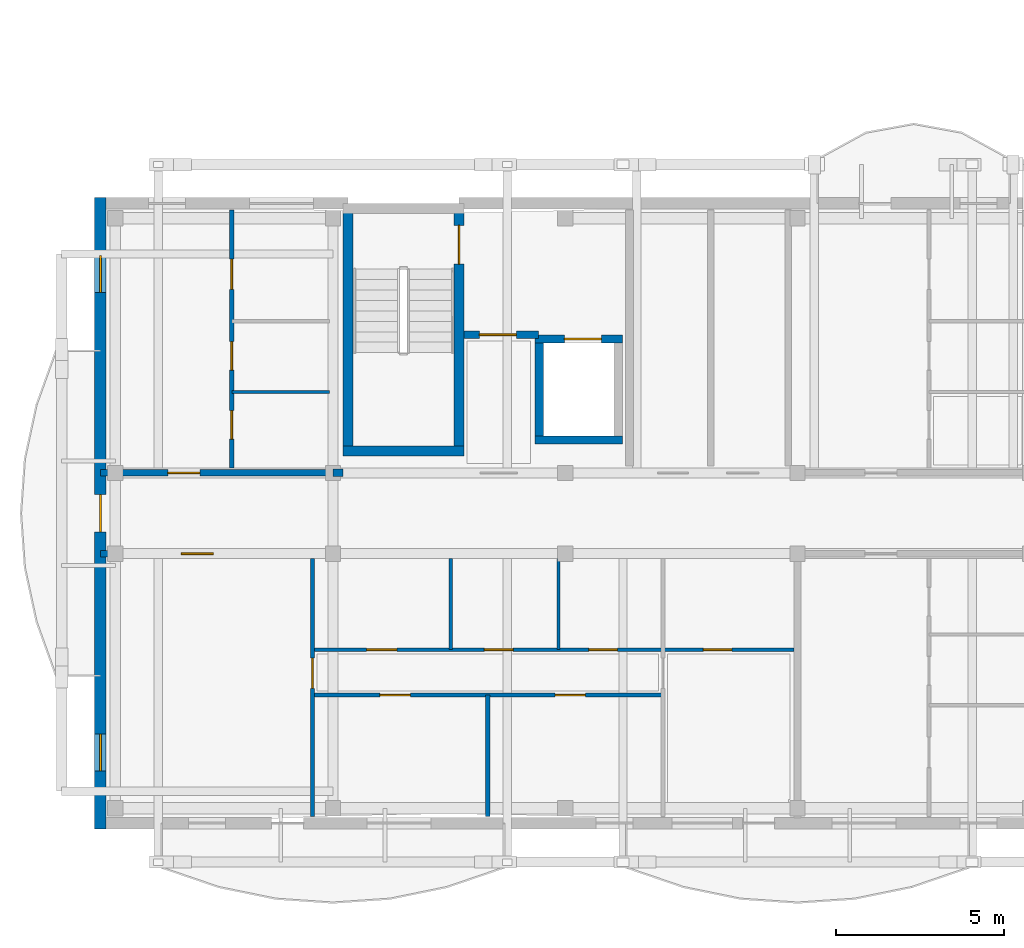
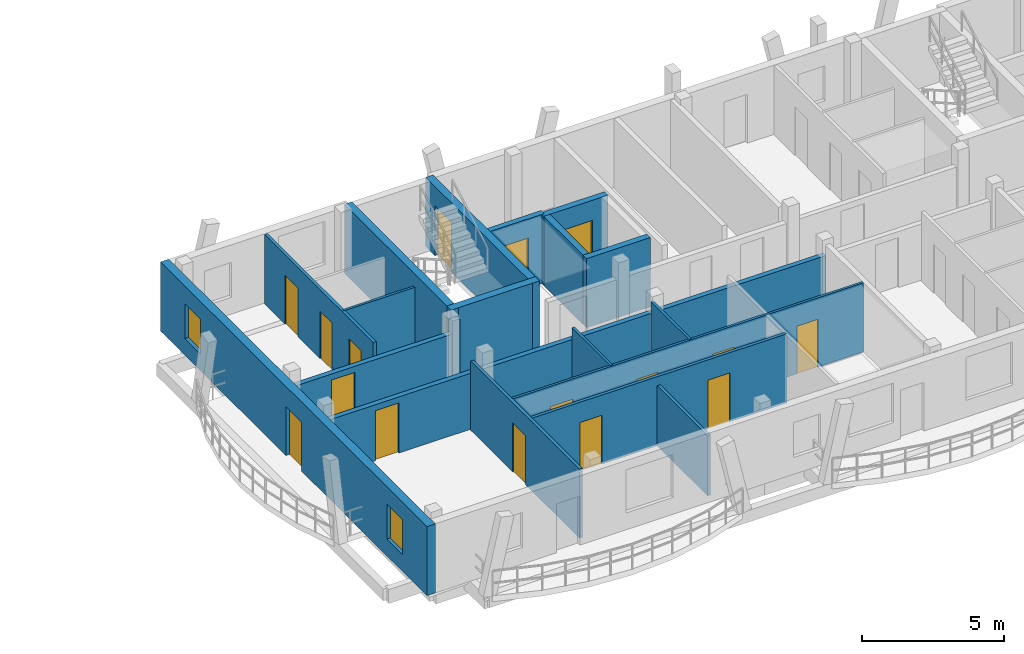
# One storey, part 9 of 21: 19 walls, 16 doors, 2 windows, 18 openings.
"""IFC4 building model written with IfcOpenShell, lengths in metres."""

from ifc_helpers import new_model, si_unit, direction, frame, frame_2d, origin, origin_with_axes, place, context, subcontext, project, spatial, rectangle, extrude, material, layer, layer_set, type_object, element, fill, save


model = new_model("IFC4")

# Units and contexts
model_context = context("Model", 3, precision=1e-05, world=origin(), true_north=direction((0.0, 1.0)))
body_context = subcontext(model_context, "Body", "Model", "MODEL_VIEW")
ifc_project = project(units=[si_unit("LENGTHUNIT", "METRE"), si_unit("AREAUNIT", "SQUARE_METRE"), si_unit("VOLUMEUNIT", "CUBIC_METRE"), si_unit("PLANEANGLEUNIT", "RADIAN"), si_unit("MASSUNIT", "GRAM", prefix="KILO")], contexts=[model_context])

# Site, building, storey
site_placement = place(None, origin())
site = spatial("IfcSite", under=ifc_project, at=site_placement, CompositionType="ELEMENT")
building_placement = place(site_placement, origin())
building = spatial("IfcBuilding", under=site, at=building_placement, Name="Zavelmont Quarter", CompositionType="ELEMENT")
storey_placement = place(building_placement, frame((0.0, 0.0, 36.800048828125)))
storey = spatial("IfcBuildingStorey", under=building, at=storey_placement, Name="L11", CompositionType="ELEMENT", Elevation=36.800048828125)

# Wall, openings, door, windows
ifc_material_1 = material(Name="Natural Belgian limestone", Category="masonry")
ifc_layer_1 = layer(ifc_material_1, 0.340087890625)
ifc_layer_set_1 = layer_set([ifc_layer_1], Name="Natural Belgian limestone")
wall_type_1 = type_object("IfcWallType", Name="EW03", PredefinedType="STANDARD", material=ifc_layer_set_1)
wall_1_placement = place(storey_placement, frame((0.0, -0.169921875, 0.0), z_axis=(0.0, 0.0, 1.0), x_axis=(0.0, 1.0, 0.0)))
wall_1 = element("IfcWall", 1, at=wall_1_placement, inside=storey, type_object=wall_type_1, Name="L11 exterior limestone wall EW03", PredefinedType="STANDARD", context=body_context, shape_type="SweptSolid", body=[
    extrude(rectangle(XDim=18.739990234375, YDim=0.340087890625, at=frame_2d((9.3701171875, 0.0))), origin(), (0.0, 0.0, 1.0), 2.969970703125),
])
opening_1_placement = place(wall_1_placement, frame((8.820068359375, 0.0, 0.0)))
opening_1 = element("IfcOpeningElement", 2, at=opening_1_placement, cuts=wall_1, Name="Opening DR04B", PredefinedType="OPENING", context=body_context, shape_type="SweptSolid", body=[
    extrude(rectangle(XDim=1.10009765625, YDim=2.10009765625, at=frame_2d((0.550048828125, 1.050048828125))), frame((0.0, 0.18212890625, 0.0), z_axis=(0.0, -1.0, 0.0), x_axis=(1.0, 0.0, 0.0)), (0.0, 0.0, 1.0), 0.364013671875),
])
opening_2_placement = place(wall_1_placement, frame((1.719970703125, 0.0, 0.719970703125)))
opening_2 = element("IfcOpeningElement", 3, at=opening_2_placement, cuts=wall_1, Name="Opening WN09", PredefinedType="OPENING", context=body_context, shape_type="SweptSolid", body=[
    extrude(rectangle(XDim=1.10009765625, YDim=1.5, at=frame_2d((0.550048828125, 0.75))), frame((0.0, 0.18212890625, 0.0), z_axis=(0.0, -1.0, 0.0), x_axis=(1.0, 0.0, 0.0)), (0.0, 0.0, 1.0), 0.364013671875),
])
opening_3_placement = place(wall_1_placement, frame((15.919921875, 0.0, 0.719970703125)))
opening_3 = element("IfcOpeningElement", 4, at=opening_3_placement, cuts=wall_1, Name="Opening WN09", PredefinedType="OPENING", context=body_context, shape_type="SweptSolid", body=[
    extrude(rectangle(XDim=1.10009765625, YDim=1.5, at=frame_2d((0.550048828125, 0.75))), frame((0.0, 0.18212890625, 0.0), z_axis=(0.0, -1.0, 0.0), x_axis=(1.0, 0.0, 0.0)), (0.0, 0.0, 1.0), 0.364013671875),
])
ifc_material_2 = material(Name="Thermally broken aluminium and double safety glass", Category="aluminium")
door_type_1 = type_object("IfcDoorType", Name="DR04B", OperationType="NOTDEFINED", PredefinedType="DOOR", material=ifc_material_2)
door_1_placement = place(opening_1_placement, frame((1.10009765625, 0.0, 0.0), z_axis=(0.0, 0.0, 1.0), x_axis=(-1.0, 0.0, 0.0)))
door_1 = element("IfcDoor", 5, at=door_1_placement, inside=storey, type_object=door_type_1, Name="Block A L11 terrace or vase balcony door", OperationType="SINGLE_SWING_RIGHT", OverallHeight=2.10009765625, OverallWidth=1.10009765625, PredefinedType="DOOR", context=body_context, shape_type="SweptSolid", body=[
    extrude(rectangle(XDim=1.10009765625, YDim=2.10009765625, at=frame_2d((0.550048828125, 1.050048828125))), frame((0.0, 0.02490234375, 0.0), z_axis=(0.0, -1.0, 0.0), x_axis=(1.0, 0.0, 0.0)), (0.0, 0.0, 1.0), 0.050048828125),
])
fill(opening_1, door_1)
ifc_material_3 = material(Name="Double low-E insulated glazing in thermally broken aluminium frame", Category="aluminium")
window_type = type_object("IfcWindowType", Name="WN09", PartitioningType="SINGLE_PANEL", PredefinedType="WINDOW", material=ifc_material_3)
window_1_placement = place(opening_2_placement, origin_with_axes())
window_1 = element("IfcWindow", 6, at=window_1_placement, inside=storey, type_object=window_type, Name="L11 window WN09", OverallHeight=1.5, OverallWidth=1.10009765625, PartitioningType="SINGLE_PANEL", PredefinedType="WINDOW", context=body_context, shape_type="SweptSolid", body=[
    extrude(rectangle(XDim=1.10009765625, YDim=1.5, at=frame_2d((0.550048828125, 0.75))), frame((0.0, 0.030029296875, 0.0), z_axis=(0.0, -1.0, 0.0), x_axis=(1.0, 0.0, 0.0)), (0.0, 0.0, 1.0), 0.06005859375),
])
fill(opening_2, window_1)
window_2_placement = place(opening_3_placement, origin_with_axes())
window_2 = element("IfcWindow", 7, at=window_2_placement, inside=storey, type_object=window_type, Name="L11 window WN09", OverallHeight=1.5, OverallWidth=1.10009765625, PartitioningType="SINGLE_PANEL", PredefinedType="WINDOW", context=body_context, shape_type="SweptSolid", body=[
    extrude(rectangle(XDim=1.10009765625, YDim=1.5, at=frame_2d((0.550048828125, 0.75))), frame((0.0, 0.030029296875, 0.0), z_axis=(0.0, -1.0, 0.0), x_axis=(1.0, 0.0, 0.0)), (0.0, 0.0, 1.0), 0.06005859375),
])
fill(opening_3, window_2)

# Wall, opening, door
ifc_material_4 = material(Name="Calcium-silicate blockwork and acoustic plaster", Category="masonry")
ifc_layer_2 = layer(ifc_material_4, 0.199951171875)
ifc_layer_set_2 = layer_set([ifc_layer_2], Name="Calcium-silicate blockwork and acoustic plaster")
wall_type_2 = type_object("IfcWallType", Name="IW01", PredefinedType="PARTITIONING", material=ifc_layer_set_2)
wall_2_placement = place(storey_placement, frame((0.0, 8.0, 0.0), z_axis=(0.0, 0.0, 1.0), x_axis=(1.0, 0.0, 0.0)))
wall_2 = element("IfcWall", 8, at=wall_2_placement, inside=storey, type_object=wall_type_2, Name="L11 Corridor compartment wall IW01", PredefinedType="PARTITIONING", context=body_context, shape_type="SweptSolid", body=[
    extrude(rectangle(XDim=20.699951171875, YDim=0.199951171875, at=frame_2d((10.35009765625, 0.0))), origin(), (0.0, 0.0, 1.0), 2.409912109375),
])
opening_4_placement = place(wall_2_placement, frame((2.39990234375, 0.0, 0.0)))
opening_4 = element("IfcOpeningElement", 9, at=opening_4_placement, cuts=wall_2, Name="Opening DR02", PredefinedType="OPENING", context=body_context, shape_type="SweptSolid", body=[
    extrude(rectangle(XDim=0.949951171875, YDim=2.14990234375, at=frame_2d((0.47509765625, 1.074951171875))), frame((0.0, 0.11181640625, 0.0), z_axis=(0.0, -1.0, 0.0), x_axis=(1.0, 0.0, 0.0)), (0.0, 0.0, 1.0), 0.223876953125),
])
ifc_material_5 = material(Name="Solid-core oak fire leaf in steel frame", Category="steel")
door_type_2 = type_object("IfcDoorType", Name="DR02", OperationType="NOTDEFINED", PredefinedType="DOOR", material=ifc_material_5)
door_2_placement = place(opening_4_placement, frame((0.949951171875, 0.0, 0.0), z_axis=(0.0, 0.0, 1.0), x_axis=(-1.0, 0.0, 0.0)))
door_2 = element("IfcDoor", 10, at=door_2_placement, inside=storey, type_object=door_type_2, Name="L11 door DR02", OperationType="SINGLE_SWING_RIGHT", OverallHeight=2.14990234375, OverallWidth=0.949951171875, PredefinedType="DOOR", context=body_context, shape_type="SweptSolid", body=[
    extrude(rectangle(XDim=0.949951171875, YDim=2.14990234375, at=frame_2d((0.47509765625, 1.074951171875))), frame((0.0, 0.02490234375, 0.0), z_axis=(0.0, -1.0, 0.0), x_axis=(1.0, 0.0, 0.0)), (0.0, 0.0, 1.0), 0.050048828125),
])
fill(opening_4, door_2)

wall_3_placement = place(storey_placement, frame((0.0, 10.39990234375, 0.0), z_axis=(0.0, 0.0, 1.0), x_axis=(1.0, 0.0, 0.0)))
wall_3 = element("IfcWall", 11, at=wall_3_placement, inside=storey, type_object=wall_type_2, Name="L11 Corridor compartment wall IW01", PredefinedType="PARTITIONING", context=body_context, shape_type="SweptSolid", body=[
    extrude(rectangle(XDim=6.89990234375, YDim=0.199951171875, at=frame_2d((3.449951171875, 0.0))), origin(), (0.0, 0.0, 1.0), 2.409912109375),
])
opening_5_placement = place(wall_3_placement, frame((2.0, 0.0, 0.0)))
opening_5 = element("IfcOpeningElement", 12, at=opening_5_placement, cuts=wall_3, Name="Opening DR02", PredefinedType="OPENING", context=body_context, shape_type="SweptSolid", body=[
    extrude(rectangle(XDim=0.949951171875, YDim=2.14990234375, at=frame_2d((0.47509765625, 1.074951171875))), frame((0.0, 0.11181640625, 0.0), z_axis=(0.0, -1.0, 0.0), x_axis=(1.0, 0.0, 0.0)), (0.0, 0.0, 1.0), 0.223876953125),
])
door_3_placement = place(opening_5_placement, origin_with_axes())
door_3 = element("IfcDoor", 13, at=door_3_placement, inside=storey, type_object=door_type_2, Name="L11 door DR02", OperationType="SINGLE_SWING_RIGHT", OverallHeight=2.14990234375, OverallWidth=0.949951171875, PredefinedType="DOOR", context=body_context, shape_type="SweptSolid", body=[
    extrude(rectangle(XDim=0.949951171875, YDim=2.14990234375, at=frame_2d((0.47509765625, 1.074951171875))), frame((0.0, 0.02490234375, 0.0), z_axis=(0.0, -1.0, 0.0), x_axis=(1.0, 0.0, 0.0)), (0.0, 0.0, 1.0), 0.050048828125),
])
fill(opening_5, door_3)

ifc_material_6 = material(Name="Reinforced masonry fire compartment wall", Category="masonry")
ifc_layer_3 = layer(ifc_material_6, 0.22509765625)
ifc_layer_set_3 = layer_set([ifc_layer_3], Name="Reinforced masonry fire compartment wall")
wall_type_3 = type_object("IfcWallType", Name="IW02", PredefinedType="PARTITIONING", material=ifc_layer_set_3)
wall_4_placement = place(storey_placement, frame((10.800048828125, 14.5, 0.0), z_axis=(0.0, 0.0, 1.0), x_axis=(1.0, 0.0, 0.0)))
wall_4 = element("IfcWall", 14, at=wall_4_placement, inside=storey, type_object=wall_type_3, Name="L11 Firefighting lobby threshold wall IW02", PredefinedType="PARTITIONING", context=body_context, shape_type="SweptSolid", body=[
    extrude(rectangle(XDim=2.199951171875, YDim=0.22509765625, at=frame_2d((1.10009765625, 0.0))), origin(), (0.0, 0.0, 1.0), 2.969970703125),
])
opening_6_placement = place(wall_4_placement, frame((0.449951171875, 0.0, 0.0)))
opening_6 = element("IfcOpeningElement", 15, at=opening_6_placement, cuts=wall_4, Name="Opening DR10", PredefinedType="OPENING", context=body_context, shape_type="SweptSolid", body=[
    extrude(rectangle(XDim=1.10009765625, YDim=2.14990234375, at=frame_2d((0.550048828125, 1.074951171875))), frame((0.0, 0.12451171875, 0.0), z_axis=(0.0, -1.0, 0.0), x_axis=(1.0, 0.0, 0.0)), (0.0, 0.0, 1.0), 0.2490234375),
])
ifc_material_7 = material(Name="Painted steel lobby fire door", Category="steel")
door_type_3 = type_object("IfcDoorType", Name="DR10", OperationType="NOTDEFINED", PredefinedType="DOOR", material=ifc_material_7)
door_4_placement = place(opening_6_placement, origin_with_axes())
door_4 = element("IfcDoor", 16, at=door_4_placement, inside=storey, type_object=door_type_3, Name="Firefighting lobby fire door", OperationType="SINGLE_SWING_LEFT", OverallHeight=2.14990234375, OverallWidth=1.10009765625, PredefinedType="DOOR", context=body_context, shape_type="SweptSolid", body=[
    extrude(rectangle(XDim=1.10009765625, YDim=2.14990234375, at=frame_2d((0.550048828125, 1.074951171875))), frame((0.0, 0.02490234375, 0.0), z_axis=(0.0, -1.0, 0.0), x_axis=(1.0, 0.0, 0.0)), (0.0, 0.0, 1.0), 0.050048828125),
])
fill(opening_6, door_4)

# Wall
wall_5_placement = place(storey_placement, frame((6.89990234375, 10.39990234375, 0.0), z_axis=(0.0, 0.0, 1.0), x_axis=(1.0, 0.0, 0.0)))
element("IfcWall", 17, at=wall_5_placement, inside=storey, type_object=wall_type_3, Name="L11 Core corridor wall IW02", PredefinedType="PARTITIONING", context=body_context, shape_type="SweptSolid", body=[
    extrude(rectangle(XDim=0.300048828125, YDim=0.22509765625, at=frame_2d((0.14990234375, 0.0))), origin(), (0.0, 0.0, 1.0), 2.969970703125),
])

# Wall, opening, door
ifc_material_8 = material(Name="Double gypsum board on acoustic steel stud", Category="steel")
ifc_layer_4 = layer(ifc_material_8, 0.125)
ifc_layer_set_4 = layer_set([ifc_layer_4], Name="Double gypsum board on acoustic steel stud")
wall_type_4 = type_object("IfcWallType", Name="IW03", PredefinedType="PARTITIONING", material=ifc_layer_set_4)
wall_6_placement = place(storey_placement, frame((6.300048828125, 7.85009765625, 0.0), z_axis=(0.0, 0.0, 1.0), x_axis=(0.0, -1.0, 0.0)))
wall_6 = element("IfcWall", 18, at=wall_6_placement, inside=storey, type_object=wall_type_4, Name="L11 Partition IW03", PredefinedType="PARTITIONING", context=body_context, shape_type="SweptSolid", body=[
    extrude(rectangle(XDim=7.650146484375, YDim=0.125, at=frame_2d((3.8251953125, 0.0))), origin(), (0.0, 0.0, 1.0), 2.969970703125),
])
opening_7_placement = place(wall_6_placement, frame((2.949951171875, 0.0, 0.0)))
opening_7 = element("IfcOpeningElement", 19, at=opening_7_placement, cuts=wall_6, Name="Opening DR05", PredefinedType="OPENING", context=body_context, shape_type="SweptSolid", body=[
    extrude(rectangle(XDim=0.89990234375, YDim=2.10009765625, at=frame_2d((0.449951171875, 1.050048828125))), frame((0.0, 0.074462890625, 0.0), z_axis=(0.0, -1.0, 0.0), x_axis=(1.0, 0.0, 0.0)), (0.0, 0.0, 1.0), 0.14892578125),
])
ifc_material_9 = material(Name="Engineered oak flush interior door")
door_type_4 = type_object("IfcDoorType", Name="DR05", OperationType="NOTDEFINED", PredefinedType="DOOR", material=ifc_material_9)
door_5_placement = place(opening_7_placement, frame((0.89990234375, 0.0, 0.0), z_axis=(0.0, 0.0, 1.0), x_axis=(-1.0, 0.0, 0.0)))
door_5 = element("IfcDoor", 20, at=door_5_placement, inside=storey, type_object=door_type_4, Name="L11 door DR05", OperationType="SINGLE_SWING_RIGHT", OverallHeight=2.10009765625, OverallWidth=0.89990234375, PredefinedType="DOOR", context=body_context, shape_type="SweptSolid", body=[
    extrude(rectangle(XDim=0.89990234375, YDim=2.10009765625, at=frame_2d((0.449951171875, 1.050048828125))), frame((0.0, 0.02490234375, 0.0), z_axis=(0.0, -1.0, 0.0), x_axis=(1.0, 0.0, 0.0)), (0.0, 0.0, 1.0), 0.050048828125),
])
fill(opening_7, door_5)

# Wall
wall_7_placement = place(storey_placement, frame((11.5, 3.800048828125, 0.0), z_axis=(0.0, 0.0, 1.0), x_axis=(0.0, -1.0, 0.0)))
element("IfcWall", 21, at=wall_7_placement, inside=storey, type_object=wall_type_4, Name="L11 Partition IW03", PredefinedType="PARTITIONING", context=body_context, shape_type="SweptSolid", body=[
    extrude(rectangle(XDim=3.60009765625, YDim=0.125, at=frame_2d((1.800048828125, 0.0))), origin(), (0.0, 0.0, 1.0), 2.58984375),
])

# Wall, openings, doors
wall_8_placement = place(storey_placement, frame((6.300048828125, 3.800048828125, 0.0), z_axis=(0.0, 0.0, 1.0), x_axis=(1.0, 0.0, 0.0)))
wall_8 = element("IfcWall", 22, at=wall_8_placement, inside=storey, type_object=wall_type_4, Name="L11 Partition IW03", PredefinedType="PARTITIONING", context=body_context, shape_type="SweptSolid", body=[
    extrude(rectangle(XDim=10.39990234375, YDim=0.125, at=frame_2d((5.199951171875, 0.0))), origin(), (0.0, 0.0, 1.0), 2.969970703125),
])
opening_8_placement = place(wall_8_placement, frame((2.0, 0.0, 0.0)))
opening_8 = element("IfcOpeningElement", 23, at=opening_8_placement, cuts=wall_8, Name="Opening DR05", PredefinedType="OPENING", context=body_context, shape_type="SweptSolid", body=[
    extrude(rectangle(XDim=0.89990234375, YDim=2.10009765625, at=frame_2d((0.449951171875, 1.050048828125))), frame((0.0, 0.074462890625, 0.0), z_axis=(0.0, -1.0, 0.0), x_axis=(1.0, 0.0, 0.0)), (0.0, 0.0, 1.0), 0.14892578125),
])
opening_9_placement = place(wall_8_placement, frame((7.199951171875, 0.0, 0.0)))
opening_9 = element("IfcOpeningElement", 24, at=opening_9_placement, cuts=wall_8, Name="Opening DR05", PredefinedType="OPENING", context=body_context, shape_type="SweptSolid", body=[
    extrude(rectangle(XDim=0.89990234375, YDim=2.10009765625, at=frame_2d((0.449951171875, 1.050048828125))), frame((0.0, 0.074462890625, 0.0), z_axis=(0.0, -1.0, 0.0), x_axis=(1.0, 0.0, 0.0)), (0.0, 0.0, 1.0), 0.14892578125),
])
door_6_placement = place(opening_8_placement, frame((0.89990234375, 0.0, 0.0), z_axis=(0.0, 0.0, 1.0), x_axis=(-1.0, 0.0, 0.0)))
door_6 = element("IfcDoor", 25, at=door_6_placement, inside=storey, type_object=door_type_4, Name="L11 door DR05", OperationType="SINGLE_SWING_RIGHT", OverallHeight=2.10009765625, OverallWidth=0.89990234375, PredefinedType="DOOR", context=body_context, shape_type="SweptSolid", body=[
    extrude(rectangle(XDim=0.89990234375, YDim=2.10009765625, at=frame_2d((0.449951171875, 1.050048828125))), frame((0.0, 0.02490234375, 0.0), z_axis=(0.0, -1.0, 0.0), x_axis=(1.0, 0.0, 0.0)), (0.0, 0.0, 1.0), 0.050048828125),
])
fill(opening_8, door_6)
door_7_placement = place(opening_9_placement, origin_with_axes())
door_7 = element("IfcDoor", 26, at=door_7_placement, inside=storey, type_object=door_type_4, Name="L11 door DR05", OperationType="SINGLE_SWING_LEFT", OverallHeight=2.10009765625, OverallWidth=0.89990234375, PredefinedType="DOOR", context=body_context, shape_type="SweptSolid", body=[
    extrude(rectangle(XDim=0.89990234375, YDim=2.10009765625, at=frame_2d((0.449951171875, 1.050048828125))), frame((0.0, 0.02490234375, 0.0), z_axis=(0.0, -1.0, 0.0), x_axis=(1.0, 0.0, 0.0)), (0.0, 0.0, 1.0), 0.050048828125),
])
fill(opening_9, door_7)

wall_9_placement = place(storey_placement, frame((3.89990234375, 10.550048828125, 0.0), z_axis=(0.0, 0.0, 1.0), x_axis=(0.0, 1.0, 0.0)))
wall_9 = element("IfcWall", 27, at=wall_9_placement, inside=storey, type_object=wall_type_4, Name="L11 Partition IW03", PredefinedType="PARTITIONING", context=body_context, shape_type="SweptSolid", body=[
    extrude(rectangle(XDim=7.64990234375, YDim=0.125, at=frame_2d((3.824951171875, 0.0))), origin(), (0.0, 0.0, 1.0), 2.969970703125),
])
opening_10_placement = place(wall_9_placement, frame((0.85009765625, 0.0, 0.0)))
opening_10 = element("IfcOpeningElement", 28, at=opening_10_placement, cuts=wall_9, Name="Opening DR16", PredefinedType="OPENING", context=body_context, shape_type="SweptSolid", body=[
    extrude(rectangle(XDim=0.85009765625, YDim=2.10009765625, at=frame_2d((0.425048828125, 1.050048828125))), frame((0.0, 0.074462890625, 0.0), z_axis=(0.0, -1.0, 0.0), x_axis=(1.0, 0.0, 0.0)), (0.0, 0.0, 1.0), 0.14892578125),
])
opening_11_placement = place(wall_9_placement, frame((2.89990234375, 0.0, 0.0)))
opening_11 = element("IfcOpeningElement", 29, at=opening_11_placement, cuts=wall_9, Name="Opening DR06", PredefinedType="OPENING", context=body_context, shape_type="SweptSolid", body=[
    extrude(rectangle(XDim=0.85009765625, YDim=2.050048828125, at=frame_2d((0.425048828125, 1.02490234375))), frame((0.0, 0.074462890625, 0.0), z_axis=(0.0, -1.0, 0.0), x_axis=(1.0, 0.0, 0.0)), (0.0, 0.0, 1.0), 0.14892578125),
])
opening_12_placement = place(wall_9_placement, frame((5.300048828125, 0.0, 0.0)))
opening_12 = element("IfcOpeningElement", 30, at=opening_12_placement, cuts=wall_9, Name="Opening DR05", PredefinedType="OPENING", context=body_context, shape_type="SweptSolid", body=[
    extrude(rectangle(XDim=0.89990234375, YDim=2.10009765625, at=frame_2d((0.449951171875, 1.050048828125))), frame((0.0, 0.074462890625, 0.0), z_axis=(0.0, -1.0, 0.0), x_axis=(1.0, 0.0, 0.0)), (0.0, 0.0, 1.0), 0.14892578125),
])
door_8_placement = place(opening_12_placement, frame((0.89990234375, 0.0, 0.0), z_axis=(0.0, 0.0, 1.0), x_axis=(-1.0, 0.0, 0.0)))
door_8 = element("IfcDoor", 31, at=door_8_placement, inside=storey, type_object=door_type_4, Name="L11 door DR05", OperationType="SINGLE_SWING_RIGHT", OverallHeight=2.10009765625, OverallWidth=0.89990234375, PredefinedType="DOOR", context=body_context, shape_type="SweptSolid", body=[
    extrude(rectangle(XDim=0.89990234375, YDim=2.10009765625, at=frame_2d((0.449951171875, 1.050048828125))), frame((0.0, 0.02490234375, 0.0), z_axis=(0.0, -1.0, 0.0), x_axis=(1.0, 0.0, 0.0)), (0.0, 0.0, 1.0), 0.050048828125),
])
fill(opening_12, door_8)
ifc_material_10 = material(Name="Moisture-resistant painted wet-room door")
door_type_5 = type_object("IfcDoorType", Name="DR06", OperationType="NOTDEFINED", PredefinedType="DOOR", material=ifc_material_10)
door_9_placement = place(opening_11_placement, origin_with_axes())
door_9 = element("IfcDoor", 32, at=door_9_placement, inside=storey, type_object=door_type_5, Name="L11 door DR06", OperationType="SINGLE_SWING_LEFT", OverallHeight=2.050048828125, OverallWidth=0.85009765625, PredefinedType="DOOR", context=body_context, shape_type="SweptSolid", body=[
    extrude(rectangle(XDim=0.85009765625, YDim=2.050048828125, at=frame_2d((0.425048828125, 1.02490234375))), frame((0.0, 0.02490234375, 0.0), z_axis=(0.0, -1.0, 0.0), x_axis=(1.0, 0.0, 0.0)), (0.0, 0.0, 1.0), 0.050048828125),
])
fill(opening_11, door_9)
door_type_6 = type_object("IfcDoorType", Name="DR16", OperationType="NOTDEFINED", PredefinedType="DOOR", material=ifc_material_9)
door_10_placement = place(opening_10_placement, frame((0.85009765625, 0.0, 0.0), z_axis=(0.0, 0.0, 1.0), x_axis=(-1.0, 0.0, 0.0)))
door_10 = element("IfcDoor", 33, at=door_10_placement, inside=storey, type_object=door_type_6, Name="L11 door DR16", OperationType="SINGLE_SWING_RIGHT", OverallHeight=2.10009765625, OverallWidth=0.85009765625, PredefinedType="DOOR", context=body_context, shape_type="SweptSolid", body=[
    extrude(rectangle(XDim=0.85009765625, YDim=2.10009765625, at=frame_2d((0.425048828125, 1.050048828125))), frame((0.0, 0.02490234375, 0.0), z_axis=(0.0, -1.0, 0.0), x_axis=(1.0, 0.0, 0.0)), (0.0, 0.0, 1.0), 0.050048828125),
])
fill(opening_10, door_10)

# Walls
ifc_material_11 = material(Name="Moisture-resistant gypsum board on steel stud", Category="steel")
ifc_layer_5 = layer(ifc_material_11, 0.10009765625)
ifc_layer_set_5 = layer_set([ifc_layer_5], Name="Moisture-resistant gypsum board on steel stud")
wall_type_5 = type_object("IfcWallType", Name="IW04", PredefinedType="PARTITIONING", material=ifc_layer_set_5)
for number, where, z_axis, x_axis, name in (
    (34, (10.39990234375, 7.85009765625, 0.0), (0.0, 0.0, 1.0), (0.0, -1.0, 0.0), "L11 Partition IW04"),
    (35, (13.60009765625, 7.85009765625, 0.0), (0.0, 0.0, 1.0), (0.0, -1.0, 0.0), "L11 Partition IW04"),
):
    element("IfcWall", number, at=place(storey_placement, frame(where, z_axis=z_axis, x_axis=x_axis)), inside=storey, type_object=wall_type_5, Name=name, PredefinedType="PARTITIONING", context=body_context, shape_type="SweptSolid", body=[
        extrude(rectangle(XDim=2.7001953125, YDim=0.10009765625, at=frame_2d((1.35009765625, 0.0))), origin(), (0.0, 0.0, 1.0), 2.969970703125),
    ])

# Wall, openings, doors
wall_10_placement = place(storey_placement, frame((6.300048828125, 5.14990234375, 0.0), z_axis=(0.0, 0.0, 1.0), x_axis=(1.0, 0.0, 0.0)))
wall_10 = element("IfcWall", 36, at=wall_10_placement, inside=storey, type_object=wall_type_5, Name="L11 Partition IW04", PredefinedType="PARTITIONING", context=body_context, shape_type="SweptSolid", body=[
    extrude(rectangle(XDim=14.300048828125, YDim=0.10009765625, at=frame_2d((7.14990234375, 0.0))), origin(), (0.0, 0.0, 1.0), 2.969970703125),
])
opening_13_placement = place(wall_10_placement, frame((1.60009765625, 0.0, 0.0)))
opening_13 = element("IfcOpeningElement", 37, at=opening_13_placement, cuts=wall_10, Name="Opening DR05", PredefinedType="OPENING", context=body_context, shape_type="SweptSolid", body=[
    extrude(rectangle(XDim=0.89990234375, YDim=2.10009765625, at=frame_2d((0.449951171875, 1.050048828125))), frame((0.0, 0.06201171875, 0.0), z_axis=(0.0, -1.0, 0.0), x_axis=(1.0, 0.0, 0.0)), (0.0, 0.0, 1.0), 0.1240234375),
])
opening_14_placement = place(wall_10_placement, frame((5.10009765625, 0.0, 0.0)))
opening_14 = element("IfcOpeningElement", 38, at=opening_14_placement, cuts=wall_10, Name="Opening DR06", PredefinedType="OPENING", context=body_context, shape_type="SweptSolid", body=[
    extrude(rectangle(XDim=0.85009765625, YDim=2.050048828125, at=frame_2d((0.425048828125, 1.02490234375))), frame((0.0, 0.06201171875, 0.0), z_axis=(0.0, -1.0, 0.0), x_axis=(1.0, 0.0, 0.0)), (0.0, 0.0, 1.0), 0.1240234375),
])
opening_15_placement = place(wall_10_placement, frame((8.199951171875, 0.0, 0.0)))
opening_15 = element("IfcOpeningElement", 39, at=opening_15_placement, cuts=wall_10, Name="Opening DR06", PredefinedType="OPENING", context=body_context, shape_type="SweptSolid", body=[
    extrude(rectangle(XDim=0.85009765625, YDim=2.050048828125, at=frame_2d((0.425048828125, 1.02490234375))), frame((0.0, 0.06201171875, 0.0), z_axis=(0.0, -1.0, 0.0), x_axis=(1.0, 0.0, 0.0)), (0.0, 0.0, 1.0), 0.1240234375),
])
opening_16_placement = place(wall_10_placement, frame((11.60009765625, 0.0, 0.0)))
opening_16 = element("IfcOpeningElement", 40, at=opening_16_placement, cuts=wall_10, Name="Opening DR06", PredefinedType="OPENING", context=body_context, shape_type="SweptSolid", body=[
    extrude(rectangle(XDim=0.85009765625, YDim=2.050048828125, at=frame_2d((0.425048828125, 1.02490234375))), frame((0.0, 0.06201171875, 0.0), z_axis=(0.0, -1.0, 0.0), x_axis=(1.0, 0.0, 0.0)), (0.0, 0.0, 1.0), 0.1240234375),
])
door_11_placement = place(opening_13_placement, frame((0.89990234375, 0.0, 0.0), z_axis=(0.0, 0.0, 1.0), x_axis=(-1.0, 0.0, 0.0)))
door_11 = element("IfcDoor", 41, at=door_11_placement, inside=storey, type_object=door_type_4, Name="L11 door DR05", OperationType="SINGLE_SWING_RIGHT", OverallHeight=2.10009765625, OverallWidth=0.89990234375, PredefinedType="DOOR", context=body_context, shape_type="SweptSolid", body=[
    extrude(rectangle(XDim=0.89990234375, YDim=2.10009765625, at=frame_2d((0.449951171875, 1.050048828125))), frame((0.0, 0.02490234375, 0.0), z_axis=(0.0, -1.0, 0.0), x_axis=(1.0, 0.0, 0.0)), (0.0, 0.0, 1.0), 0.050048828125),
])
fill(opening_13, door_11)
door_12_placement = place(opening_14_placement, origin_with_axes())
door_12 = element("IfcDoor", 42, at=door_12_placement, inside=storey, type_object=door_type_5, Name="L11 door DR06", OperationType="SINGLE_SWING_LEFT", OverallHeight=2.050048828125, OverallWidth=0.85009765625, PredefinedType="DOOR", context=body_context, shape_type="SweptSolid", body=[
    extrude(rectangle(XDim=0.85009765625, YDim=2.050048828125, at=frame_2d((0.425048828125, 1.02490234375))), frame((0.0, 0.02490234375, 0.0), z_axis=(0.0, -1.0, 0.0), x_axis=(1.0, 0.0, 0.0)), (0.0, 0.0, 1.0), 0.050048828125),
])
fill(opening_14, door_12)
door_13_placement = place(opening_15_placement, frame((0.85009765625, 0.0, 0.0), z_axis=(0.0, 0.0, 1.0), x_axis=(-1.0, 0.0, 0.0)))
door_13 = element("IfcDoor", 43, at=door_13_placement, inside=storey, type_object=door_type_5, Name="L11 door DR06", OperationType="SINGLE_SWING_RIGHT", OverallHeight=2.050048828125, OverallWidth=0.85009765625, PredefinedType="DOOR", context=body_context, shape_type="SweptSolid", body=[
    extrude(rectangle(XDim=0.85009765625, YDim=2.050048828125, at=frame_2d((0.425048828125, 1.02490234375))), frame((0.0, 0.02490234375, 0.0), z_axis=(0.0, -1.0, 0.0), x_axis=(1.0, 0.0, 0.0)), (0.0, 0.0, 1.0), 0.050048828125),
])
fill(opening_15, door_13)
door_14_placement = place(opening_16_placement, origin_with_axes())
door_14 = element("IfcDoor", 44, at=door_14_placement, inside=storey, type_object=door_type_5, Name="L11 door DR06", OperationType="SINGLE_SWING_LEFT", OverallHeight=2.050048828125, OverallWidth=0.85009765625, PredefinedType="DOOR", context=body_context, shape_type="SweptSolid", body=[
    extrude(rectangle(XDim=0.85009765625, YDim=2.050048828125, at=frame_2d((0.425048828125, 1.02490234375))), frame((0.0, 0.02490234375, 0.0), z_axis=(0.0, -1.0, 0.0), x_axis=(1.0, 0.0, 0.0)), (0.0, 0.0, 1.0), 0.050048828125),
])
fill(opening_16, door_14)

# Walls
wall_11_placement = place(storey_placement, frame((3.89990234375, 12.800048828125, 0.0), z_axis=(0.0, 0.0, 1.0), x_axis=(1.0, 0.0, 0.0)))
element("IfcWall", 45, at=wall_11_placement, inside=storey, type_object=wall_type_5, Name="L11 Partition IW04", PredefinedType="PARTITIONING", context=body_context, shape_type="SweptSolid", body=[
    extrude(rectangle(XDim=2.900146484375, YDim=0.10009765625, at=frame_2d((1.4501953125, 0.0))), origin(), (0.0, 0.0, 1.0), 2.969970703125),
])
ifc_material_12 = material(Name="Concrete C40/50", Category="concrete")
ifc_layer_6 = layer(ifc_material_12, 0.300048828125)
ifc_layer_set_6 = layer_set([ifc_layer_6], Name="Concrete C40/50")
wall_type_6 = type_object("IfcWallType", Name="SW01", PredefinedType="SHEAR", material=ifc_layer_set_6)
wall_12_placement = place(storey_placement, frame((7.199951171875, 11.050048828125, 0.0), z_axis=(0.0, 0.0, 1.0), x_axis=(1.0, 0.0, 0.0)))
element("IfcWall", 46, at=wall_12_placement, inside=storey, type_object=wall_type_6, Name="L11 ST01 corridor shear wall SW01", PredefinedType="SHEAR", context=body_context, shape_type="SweptSolid", body=[
    extrude(rectangle(XDim=3.60009765625, YDim=0.300048828125, at=frame_2d((1.800048828125, 0.0))), origin(), (0.0, 0.0, 1.0), 2.969970703125),
])
wall_13_placement = place(storey_placement, frame((7.35009765625, 10.89990234375, 0.0), z_axis=(0.0, 0.0, 1.0), x_axis=(0.0, 1.0, 0.0)))
element("IfcWall", 47, at=wall_13_placement, inside=storey, type_object=wall_type_6, Name="L11 ST01 west shear wall SW01", PredefinedType="SHEAR", context=body_context, shape_type="SweptSolid", body=[
    extrude(rectangle(XDim=7.5, YDim=0.300048828125, at=frame_2d((3.75, 0.0))), origin(), (0.0, 0.0, 1.0), 2.969970703125),
])

# Wall, opening, door
wall_14_placement = place(storey_placement, frame((10.64990234375, 10.89990234375, 0.0), z_axis=(0.0, 0.0, 1.0), x_axis=(0.0, 1.0, 0.0)))
wall_14 = element("IfcWall", 48, at=wall_14_placement, inside=storey, type_object=wall_type_6, Name="L11 ST01 lobby shear wall SW01", PredefinedType="SHEAR", context=body_context, shape_type="SweptSolid", body=[
    extrude(rectangle(XDim=7.5, YDim=0.300048828125, at=frame_2d((3.75, 0.0))), origin(), (0.0, 0.0, 1.0), 2.969970703125),
])
opening_17_placement = place(wall_14_placement, frame((5.699951171875, 0.0, 0.0)))
opening_17 = element("IfcOpeningElement", 49, at=opening_17_placement, cuts=wall_14, Name="Opening DR09", PredefinedType="OPENING", context=body_context, shape_type="SweptSolid", body=[
    extrude(rectangle(XDim=1.14990234375, YDim=2.14990234375, at=frame_2d((0.574951171875, 1.074951171875))), frame((0.0, 0.162109375, 0.0), z_axis=(0.0, -1.0, 0.0), x_axis=(1.0, 0.0, 0.0)), (0.0, 0.0, 1.0), 0.323974609375),
])
ifc_material_13 = material(Name="Painted steel stair-core fire door", Category="steel")
door_type_7 = type_object("IfcDoorType", Name="DR09", OperationType="NOTDEFINED", PredefinedType="DOOR", material=ifc_material_13)
door_15_placement = place(opening_17_placement, origin_with_axes())
door_15 = element("IfcDoor", 50, at=door_15_placement, inside=storey, type_object=door_type_7, Name="ST01 protected stair door", OperationType="SINGLE_SWING_LEFT", OverallHeight=2.14990234375, OverallWidth=1.14990234375, PredefinedType="DOOR", context=body_context, shape_type="SweptSolid", body=[
    extrude(rectangle(XDim=1.14990234375, YDim=2.14990234375, at=frame_2d((0.574951171875, 1.074951171875))), frame((0.0, 0.02490234375, 0.0), z_axis=(0.0, -1.0, 0.0), x_axis=(1.0, 0.0, 0.0)), (0.0, 0.0, 1.0), 0.050048828125),
])
fill(opening_17, door_15)

ifc_layer_7 = layer(ifc_material_12, 0.25)
ifc_layer_set_7 = layer_set([ifc_layer_7], Name="Concrete C40/50")
wall_type_7 = type_object("IfcWallType", Name="SW02", PredefinedType="SHEAR", material=ifc_layer_set_7)
wall_15_placement = place(storey_placement, frame((12.89990234375, 14.375, 0.0), z_axis=(0.0, 0.0, 1.0), x_axis=(1.0, 0.0, 0.0)))
wall_15 = element("IfcWall", 51, at=wall_15_placement, inside=storey, type_object=wall_type_7, Name="L11 Lift FL01 landing shaft wall SW02", PredefinedType="SHEAR", context=body_context, shape_type="SweptSolid", body=[
    extrude(rectangle(XDim=2.60009765625, YDim=0.25, at=frame_2d((1.300048828125, 0.0))), origin(), (0.0, 0.0, 1.0), 2.969970703125),
])
opening_18_placement = place(wall_15_placement, frame((0.875, 0.0, 0.0)))
opening_18 = element("IfcOpeningElement", 52, at=opening_18_placement, cuts=wall_15, Name="Opening LD02", PredefinedType="OPENING", context=body_context, shape_type="SweptSolid", body=[
    extrude(rectangle(XDim=1.10009765625, YDim=2.10009765625, at=frame_2d((0.550048828125, 1.050048828125))), frame((0.0, 0.136962890625, 0.0), z_axis=(0.0, -1.0, 0.0), x_axis=(1.0, 0.0, 0.0)), (0.0, 0.0, 1.0), 0.27392578125),
])
ifc_material_14 = material(Name="Brushed stainless-steel firefighting lift landing door", Category="steel")
door_type_8 = type_object("IfcDoorType", Name="LD02", OperationType="SLIDING_TO_LEFT", PredefinedType="DOOR", material=ifc_material_14)
door_16_placement = place(opening_18_placement, origin_with_axes())
door_16 = element("IfcDoor", 53, at=door_16_placement, inside=storey, type_object=door_type_8, Name="Lift FL01 sliding landing door", OperationType="SLIDING_TO_LEFT", OverallHeight=2.10009765625, OverallWidth=1.10009765625, PredefinedType="DOOR", context=body_context, shape_type="SweptSolid", body=[
    extrude(rectangle(XDim=1.10009765625, YDim=2.10009765625, at=frame_2d((0.550048828125, 1.050048828125))), frame((0.0, 0.02490234375, 0.0), z_axis=(0.0, -1.0, 0.0), x_axis=(1.0, 0.0, 0.0)), (0.0, 0.0, 1.0), 0.050048828125),
])
fill(opening_18, door_16)

# Walls
wall_16_placement = place(storey_placement, frame((12.89990234375, 11.375, 0.0), z_axis=(0.0, 0.0, 1.0), x_axis=(1.0, 0.0, 0.0)))
element("IfcWall", 54, at=wall_16_placement, inside=storey, type_object=wall_type_7, Name="L11 Lift FL01 back shaft wall SW02", PredefinedType="SHEAR", context=body_context, shape_type="SweptSolid", body=[
    extrude(rectangle(XDim=2.60009765625, YDim=0.25, at=frame_2d((1.300048828125, 0.0))), origin(), (0.0, 0.0, 1.0), 2.969970703125),
])
wall_17_placement = place(storey_placement, frame((13.02490234375, 11.25, 0.0), z_axis=(0.0, 0.0, 1.0), x_axis=(0.0, 1.0, 0.0)))
element("IfcWall", 55, at=wall_17_placement, inside=storey, type_object=wall_type_7, Name="L11 Lift FL01 west shaft wall SW02", PredefinedType="SHEAR", context=body_context, shape_type="SweptSolid", body=[
    extrude(rectangle(XDim=3.25, YDim=0.25, at=frame_2d((1.625, 0.0))), origin(), (0.0, 0.0, 1.0), 2.969970703125),
])

save(model, "model.ifc")
